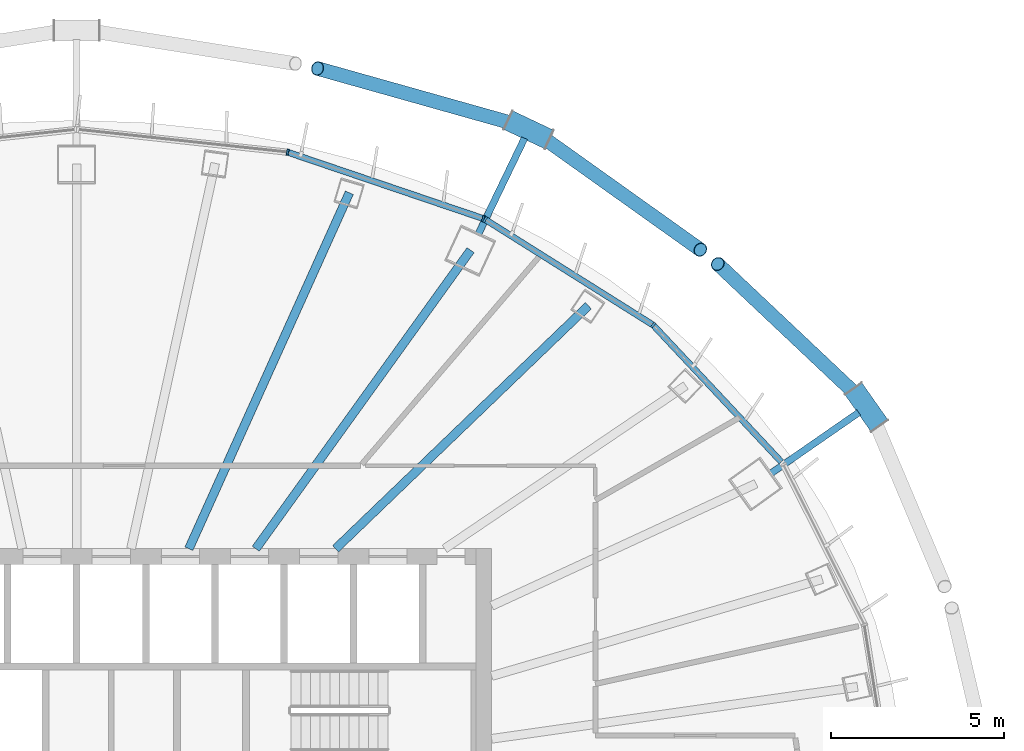
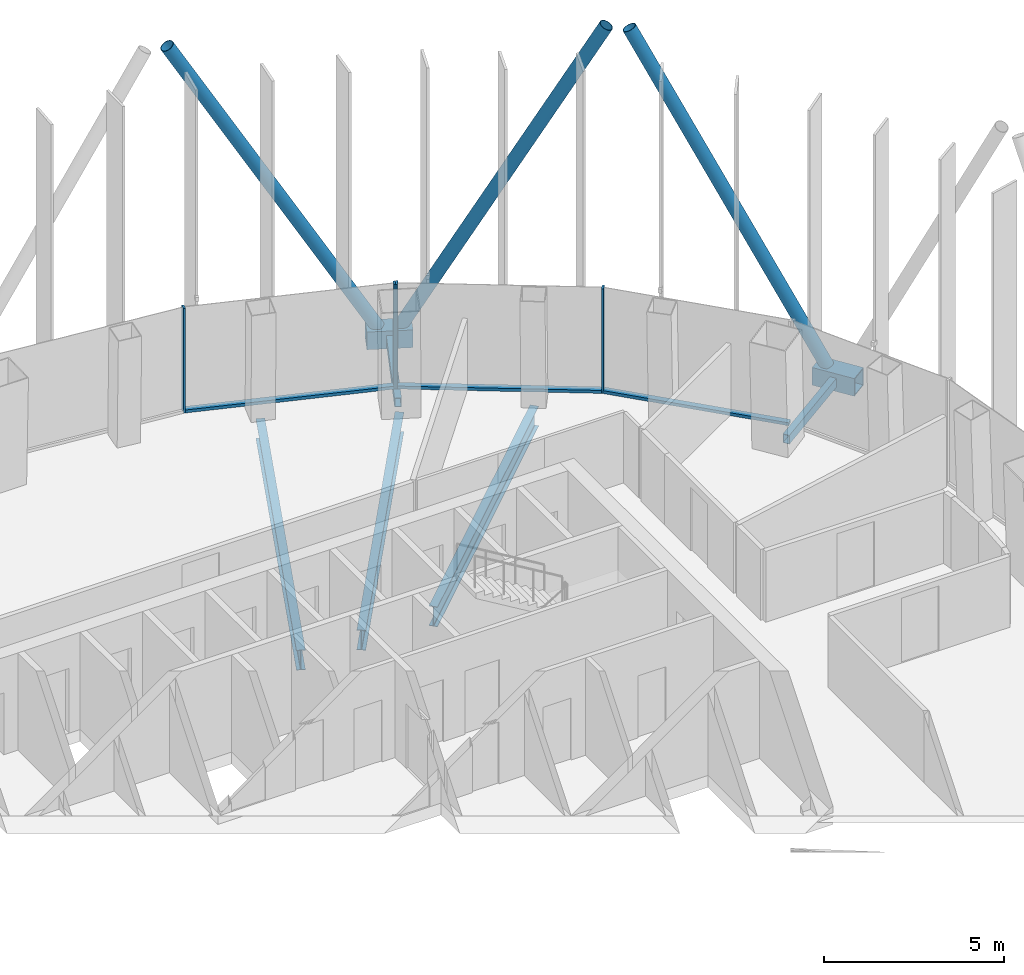
# One storey, part 7 of 19: 14 members, 3 beams, 2 elements without a shape of their own.
"""IFC4 building model written with IfcOpenShell, lengths in metres."""

from ifc_helpers import new_model, si_unit, direction, frame, origin, origin_2d, place, context, subcontext, project, spatial, rectangle, hollow_rectangle, hollow_circle, i_section, extrude, material, layer, layer_set, material_profile, profile_set, type_object, element, aggregate, save


model = new_model("IFC4")

# Units and contexts
model_context = context("Model", 3, precision=1e-05, world=origin(), true_north=direction((0.0, 1.0)))
body_context = subcontext(model_context, "Body", "Model", "MODEL_VIEW")
ifc_project = project(units=[si_unit("LENGTHUNIT", "METRE"), si_unit("AREAUNIT", "SQUARE_METRE"), si_unit("VOLUMEUNIT", "CUBIC_METRE"), si_unit("PLANEANGLEUNIT", "RADIAN"), si_unit("MASSUNIT", "GRAM", prefix="KILO")], contexts=[model_context])

# Site, building, storey
site_placement = place(None, origin())
site = spatial("IfcSite", under=ifc_project, at=site_placement, CompositionType="ELEMENT")
building_placement = place(site_placement, origin())
building = spatial("IfcBuilding", under=site, at=building_placement, Name="Siaravel Broadcast Tower", CompositionType="ELEMENT")
storey_placement = place(building_placement, frame((0.0, 0.0, 168.199951171875)))
storey = spatial("IfcBuildingStorey", under=building, at=storey_placement, Name="L40", CompositionType="ELEMENT", Elevation=168.199951171875)

# Beams
ifc_material_1 = material(Name="Steel S355", Category="steel")
ifc_material_profile_1 = material_profile(ifc_material_1, i_section(OverallWidth=0.2529296875, OverallDepth=0.677978515625, WebThickness=0.01171875, FlangeThickness=0.01611328125, FilletRadius=0.01513671875, at=origin_2d()))
ifc_profile_set_1 = profile_set([ifc_material_profile_1], Name="Steel S355")
beam_type = type_object("IfcBeamType", Name="BM-UB 686x254x125", PredefinedType="BEAM", material=ifc_profile_set_1)
beam_1_placement = place(storey_placement, frame((14.794189453125, 14.224853515625, -0.489013671875), z_axis=(-0.720833528, -0.693108235, 0.0), x_axis=(0.693108235, -0.720833528, 0.0)))
element("IfcBeam", 1, at=beam_1_placement, inside=storey, type_object=beam_type, Name="Radial beam RB06", PredefinedType="BEAM", context=body_context, shape_type="SweptSolid", body=[
    extrude(i_section(OverallWidth=0.2529296875, OverallDepth=0.677978515625, WebThickness=0.01171875, FlangeThickness=0.01611328125, FilletRadius=0.01513671875, at=origin_2d()), origin(), (0.0, 0.0, 1.0), 10.13525390625),
])
beam_2_placement = place(storey_placement, frame((11.39013671875, 15.83251953125, -0.489013671875), z_axis=(-0.583995034, -0.81175723, 0.0), x_axis=(0.81175723, -0.583995034, 0.0)))
element("IfcBeam", 2, at=beam_2_placement, inside=storey, type_object=beam_type, Name="Radial beam RB07", PredefinedType="BEAM", context=body_context, shape_type="SweptSolid", body=[
    extrude(i_section(OverallWidth=0.2529296875, OverallDepth=0.677978515625, WebThickness=0.01171875, FlangeThickness=0.01611328125, FilletRadius=0.01513671875, at=origin_2d()), origin(), (0.0, 0.0, 1.0), 10.634521484375),
])
beam_3_placement = place(storey_placement, frame((7.884521484375, 17.491455078125, -0.489013671875), z_axis=(-0.410952697, -0.911656668, 0.0), x_axis=(0.911656668, -0.410952697, 0.0)))
element("IfcBeam", 3, at=beam_3_placement, inside=storey, type_object=beam_type, Name="Radial beam RB08", PredefinedType="BEAM", context=body_context, shape_type="SweptSolid", body=[
    extrude(i_section(OverallWidth=0.2529296875, OverallDepth=0.677978515625, WebThickness=0.01171875, FlangeThickness=0.01611328125, FilletRadius=0.01513671875, at=origin_2d()), origin(), (0.0, 0.0, 1.0), 11.288818359375),
])

# Curtain wall, members
ifc_material_2 = material(Name="Aluminium 6063-T6", Category="aluminium")
ifc_layer = layer(ifc_material_2, 0.179931640625)
ifc_layer_set = layer_set([ifc_layer], Name="Aluminium 6063-T6")
curtain_wall_type = type_object("IfcCurtainWallType", Name="Unitised curtain wall, zone 3", PredefinedType="NOTDEFINED", material=ifc_layer_set)
curtain_wall_1_placement = place(storey_placement, origin())
curtain_wall_1 = element("IfcCurtainWall", 4, at=curtain_wall_1_placement, inside=storey, type_object=curtain_wall_type, Name="L40 Unitised curtain wall, zone 3 02", PredefinedType="NOTDEFINED")
ifc_material_profile_2 = material_profile(ifc_material_2, rectangle(XDim=0.179931640625, YDim=0.06005859375, at=origin_2d()))
ifc_profile_set_2 = profile_set([ifc_material_profile_2], Name="Aluminium 6063-T6")
member_type_1 = type_object("IfcMemberType", Name="CW-Z3 mullion", PredefinedType="MULLION", material=ifc_profile_set_2)
member_1_placement = place(storey_placement, frame((16.6689453125, 13.66650390625, 0.0), z_axis=(0.0, 0.0, 1.0), x_axis=(-0.63621823, -0.771509147, 0.0)))
member_1 = element("IfcMember", 5, at=member_1_placement, type_object=member_type_1, Name="CW-Z3 mullion 2", PredefinedType="MULLION", context=body_context, shape_type="SweptSolid", body=[
    extrude(rectangle(XDim=0.179931640625, YDim=0.06005859375, at=origin_2d()), origin(), (0.0, 0.0, 1.0), 3.550048828125),
])
member_2_placement = place(storey_placement, frame((11.81103515625, 16.7197265625, 0.0), z_axis=(0.0, 0.0, 1.0), x_axis=(-0.532148789, -0.846650852, 0.0)))
member_2 = element("IfcMember", 6, at=member_2_placement, type_object=member_type_1, Name="CW-Z3 mullion 3", PredefinedType="MULLION", context=body_context, shape_type="SweptSolid", body=[
    extrude(rectangle(XDim=0.179931640625, YDim=0.06005859375, at=origin_2d()), origin(), (0.0, 0.0, 1.0), 3.550048828125),
])

curtain_wall_2_placement = place(storey_placement, origin())
curtain_wall_2 = element("IfcCurtainWall", 7, at=curtain_wall_2_placement, inside=storey, type_object=curtain_wall_type, Name="L40 Unitised curtain wall, zone 3 03", PredefinedType="NOTDEFINED")
member_3_placement = place(storey_placement, frame((11.75732421875, 16.745361328125, 0.0), z_axis=(0.0, 0.0, 1.0), x_axis=(-0.321300283, -0.946977364, 0.0)))
member_3 = element("IfcMember", 8, at=member_3_placement, type_object=member_type_1, Name="CW-Z3 mullion 1", PredefinedType="MULLION", context=body_context, shape_type="SweptSolid", body=[
    extrude(rectangle(XDim=0.179931640625, YDim=0.06005859375, at=origin_2d()), origin(), (0.0, 0.0, 1.0), 3.550048828125),
])
member_4_placement = place(storey_placement, frame((6.100341796875, 18.664794921875, 0.0), z_axis=(0.0, 0.0, 1.0), x_axis=(-0.215557831, -0.976491076, 0.0)))
member_4 = element("IfcMember", 9, at=member_4_placement, type_object=member_type_1, Name="CW-Z3 mullion 2", PredefinedType="MULLION", context=body_context, shape_type="SweptSolid", body=[
    extrude(rectangle(XDim=0.179931640625, YDim=0.06005859375, at=origin_2d()), origin(), (0.0, 0.0, 1.0), 3.550048828125),
])

# Member
ifc_material_profile_3 = material_profile(ifc_material_2, rectangle(XDim=0.179931640625, YDim=0.10009765625, at=origin_2d()))
ifc_profile_set_3 = profile_set([ifc_material_profile_3], Name="Aluminium 6063-T6")
member_type_2 = type_object("IfcMemberType", Name="CW-Z3 transom", PredefinedType="USERDEFINED", material=ifc_profile_set_3)
member_5_placement = place(storey_placement, frame((20.376220703125, 9.708984375, 0.050048828125), z_axis=(-0.683663984, 0.729796929, 0.0), x_axis=(-0.729796929, -0.683663984, 0.0)))
member_5 = element("IfcMember", 10, at=member_5_placement, type_object=member_type_2, Name="CW-Z3 transom 1", ObjectType="TRANSOM", PredefinedType="USERDEFINED", context=body_context, shape_type="SweptSolid", body=[
    extrude(rectangle(XDim=0.179931640625, YDim=0.10009765625, at=origin_2d()), origin(), (0.0, 0.0, 1.0), 5.392578125),
])

member_6_placement = place(storey_placement, frame((16.6435546875, 13.682373046875, 0.050048828125), z_axis=(-0.84664762, 0.532153933, 0.0), x_axis=(-0.532153933, -0.84664762, 0.0)))
member_6 = element("IfcMember", 11, at=member_6_placement, type_object=member_type_2, Name="CW-Z3 transom 2", ObjectType="TRANSOM", PredefinedType="USERDEFINED", context=body_context, shape_type="SweptSolid", body=[
    extrude(rectangle(XDim=0.179931640625, YDim=0.10009765625, at=origin_2d()), origin(), (0.0, 0.0, 1.0), 5.677734375),
])

aggregate(curtain_wall_1, [member_1, member_2, member_5, member_6])

member_7_placement = place(storey_placement, frame((11.72900390625, 16.7548828125, 0.050048828125), z_axis=(-0.946972868, 0.321313534, 0.0), x_axis=(-0.321313534, -0.946972868, 0.0)))
member_7 = element("IfcMember", 12, at=member_7_placement, type_object=member_type_2, Name="CW-Z3 transom 1", ObjectType="TRANSOM", PredefinedType="USERDEFINED", context=body_context, shape_type="SweptSolid", body=[
    extrude(rectangle(XDim=0.179931640625, YDim=0.10009765625, at=origin_2d()), origin(), (0.0, 0.0, 1.0), 5.91357421875),
])

aggregate(curtain_wall_2, [member_3, member_4, member_7])

# Members
ifc_material_3 = material(Name="Steel S460", Category="steel")
ifc_material_profile_4 = material_profile(ifc_material_3, hollow_circle(Radius=0.203125, WallThickness=0.01611328125, at=origin_2d()))
ifc_profile_set_4 = profile_set([ifc_material_profile_4], Name="Steel S460")
member_type_3 = type_object("IfcMemberType", Name="Diagrid diagonal CHS 406.4x16", PredefinedType="BRACE", material=ifc_profile_set_4)
member_8_placement = place(storey_placement, frame((22.647705078125, 11.555908203125, 0.070068359375), z_axis=(-0.343347075, 0.323779655, 0.881634573), x_axis=(-0.68607166, -0.72753397, 0.0)))
element("IfcMember", 13, at=member_8_placement, inside=storey, type_object=member_type_3, Name="Diagrid diagonal R17 station 06A", PredefinedType="BRACE", context=body_context, shape_type="SweptSolid", body=[
    extrude(hollow_circle(Radius=0.203125, WallThickness=0.01611328125, at=origin_2d()), origin(), (0.0, 0.0, 1.0), 11.977783203125),
])
member_9_placement = place(storey_placement, frame((13.3603515625, 19.17529296875, 0.070068359375), z_axis=(0.388888457, -0.277147773, 0.878609629), x_axis=(0.580364716, 0.814356676, 0.0)))
element("IfcMember", 14, at=member_9_placement, inside=storey, type_object=member_type_3, Name="Diagrid diagonal R17 station 12C", PredefinedType="BRACE", context=body_context, shape_type="SweptSolid", body=[
    extrude(hollow_circle(Radius=0.203125, WallThickness=0.01611328125, at=origin_2d()), origin(), (0.0, 0.0, 1.0), 12.01904296875),
])
member_10_placement = place(storey_placement, frame((12.775390625, 19.451904296875, 0.070068359375), z_axis=(-0.477816118, 0.134351287, 0.868125273), x_axis=(-0.270681171, -0.962669052, 0.0)))
element("IfcMember", 15, at=member_10_placement, inside=storey, type_object=member_type_3, Name="Diagrid diagonal R17 station 12A", PredefinedType="BRACE", context=body_context, shape_type="SweptSolid", body=[
    extrude(hollow_circle(Radius=0.203125, WallThickness=0.01611328125, at=origin_2d()), origin(), (0.0, 0.0, 1.0), 12.164306640625),
])
ifc_material_profile_5 = material_profile(ifc_material_3, hollow_rectangle(XDim=0.60009765625, YDim=0.60009765625, WallThickness=0.031982421875, at=origin_2d()))
ifc_profile_set_5 = profile_set([ifc_material_profile_5], Name="Steel S460")
member_type_4 = type_object("IfcMemberType", Name="Diagrid node BOX 600x600x32", PredefinedType="USERDEFINED", material=ifc_profile_set_5)
for number, where, z_axis, x_axis, name in (
    (16, (23.206787109375, 10.762939453125, -0.199951171875), (-0.576030928, 0.817427899, 0.0), (-0.817427899, -0.576030928, 0.0), "Diagrid node R17 station 06"),
    (17, (13.652587890625, 19.037109375, -0.199951171875), (-0.903991359, 0.427550726, 0.0), (-0.427550726, -0.903991359, 0.0), "Diagrid node R17 station 12"),
):
    element("IfcMember", number, at=place(storey_placement, frame(where, z_axis=z_axis, x_axis=x_axis)), inside=storey, type_object=member_type_4, Name=name, ObjectType="DIAGRID NODE", PredefinedType="USERDEFINED", context=body_context, shape_type="SweptSolid", body=[
        extrude(hollow_rectangle(XDim=0.60009765625, YDim=0.60009765625, WallThickness=0.031982421875, at=origin_2d()), origin(), (0.0, 0.0, 1.0), 1.29345703125),
    ])
ifc_material_profile_6 = material_profile(ifc_material_3, hollow_rectangle(XDim=0.199951171875, YDim=0.300048828125, WallThickness=0.012451171875, at=origin_2d()))
ifc_profile_set_6 = profile_set([ifc_material_profile_6], Name="Steel S460")
member_type_5 = type_object("IfcMemberType", Name="Diagrid node arm RHS 300x200x12.5", PredefinedType="STRUT", material=ifc_profile_set_6)
member_11_placement = place(storey_placement, frame((20.071044921875, 9.377197265625, -0.199951171875), z_axis=(0.822015888, 0.569464556, 0.0), x_axis=(-0.569464556, 0.822015888, 0.0)))
element("IfcMember", 18, at=member_11_placement, inside=storey, type_object=member_type_5, Name="Node arm R17 station 06", PredefinedType="STRUT", context=body_context, shape_type="SweptSolid", body=[
    extrude(hollow_rectangle(XDim=0.199951171875, YDim=0.300048828125, WallThickness=0.012451171875, at=origin_2d()), origin(), (0.0, 0.0, 1.0), 3.091552734375),
])
member_12_placement = place(storey_placement, frame((11.615966796875, 16.30078125, -0.199951171875), z_axis=(0.434142698, 0.900844114, 0.0), x_axis=(-0.900844114, 0.434142698, 0.0)))
element("IfcMember", 19, at=member_12_placement, inside=storey, type_object=member_type_5, Name="Node arm R17 station 12", PredefinedType="STRUT", context=body_context, shape_type="SweptSolid", body=[
    extrude(hollow_rectangle(XDim=0.199951171875, YDim=0.300048828125, WallThickness=0.012451171875, at=origin_2d()), origin(), (0.0, 0.0, 1.0), 3.074462890625),
])

save(model, "model.ifc")
